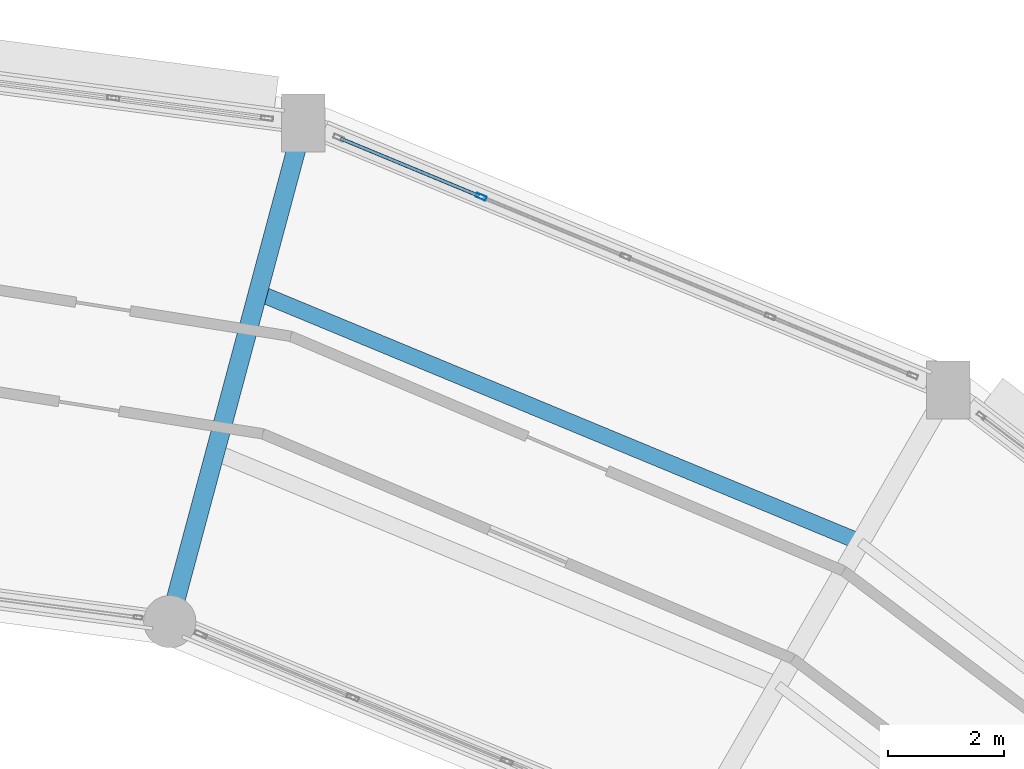
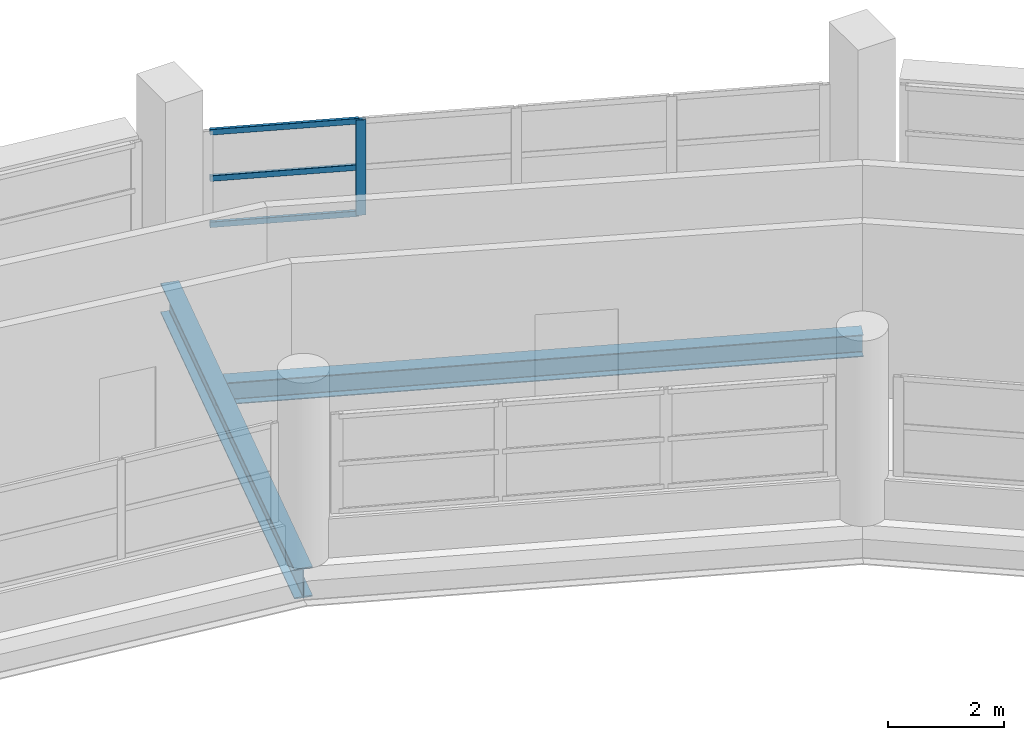
# One storey, part 55 of 88: 4 members, 2 beams, 1 element without a shape of its own.
"""IFC4 building model written with IfcOpenShell, lengths in metres."""

from ifc_helpers import new_model, si_unit, direction, frame, origin, origin_2d, place, context, subcontext, project, spatial, hollow_rectangle, i_section, extrude, material, layer, layer_set, material_profile, profile_set, type_object, element, aggregate, save


model = new_model("IFC4")

# Units and contexts
model_context = context("Model", 3, precision=1e-05, world=origin(), true_north=direction((0.0, 1.0)))
body_context = subcontext(model_context, "Body", "Model", "MODEL_VIEW")
ifc_project = project(units=[si_unit("LENGTHUNIT", "METRE"), si_unit("AREAUNIT", "SQUARE_METRE"), si_unit("VOLUMEUNIT", "CUBIC_METRE"), si_unit("PLANEANGLEUNIT", "RADIAN"), si_unit("MASSUNIT", "GRAM", prefix="KILO")], contexts=[model_context])

# Site, building, storey
site_placement = place(None, origin())
site = spatial("IfcSite", under=ifc_project, at=site_placement, CompositionType="ELEMENT")
building_placement = place(site_placement, origin())
building = spatial("IfcBuilding", under=site, at=building_placement, Name="Vespera Passage Community Centre", CompositionType="ELEMENT")
storey_placement = place(building_placement, frame((0.0, 0.0, 16.5)))
storey = spatial("IfcBuildingStorey", under=building, at=storey_placement, Name="L04", CompositionType="ELEMENT", Elevation=16.5)

# Beams
ifc_material_1 = material(Name="Steel ASTM A992 Grade 50", Category="steel")
ifc_material_profile_1 = material_profile(ifc_material_1, i_section(OverallWidth=0.32763671875, OverallDepth=0.62841796875, WebThickness=0.0166015625, FlangeThickness=0.027587890625, FilletRadius=0.0126953125, at=origin_2d()), Name="W24X146")
ifc_profile_set_1 = profile_set([ifc_material_profile_1], Name="Steel ASTM A992 Grade 50")
beam_type_1 = type_object("IfcBeamType", Name="BM-G-W24X146", PredefinedType="BEAM", material=ifc_profile_set_1)
beam_1_placement = place(storey_placement, frame((87.628173828125, 101.432373046875, -0.6142578125), z_axis=(0.258811497245, 0.9659278487, 0.0), x_axis=(-0.9659278487, 0.258811497245, 0.0)))
element("IfcBeam", 1, at=beam_1_placement, inside=storey, type_object=beam_type_1, Name="V4 L04 Radial Girder 5", PredefinedType="BEAM", context=body_context, shape_type="SweptSolid", body=[
    extrude(i_section(OverallWidth=0.32763671875, OverallDepth=0.62841796875, WebThickness=0.0166015625, FlangeThickness=0.027587890625, FilletRadius=0.0126953125, at=origin_2d()), origin(), (0.0, 0.0, 1.0), 8.900146484375),
])
ifc_material_2 = material(Name="Steel ASTM A992 Grade 50", Category="steel")
ifc_material_profile_2 = material_profile(ifc_material_2, i_section(OverallWidth=0.280517578125, OverallDepth=0.46240234375, WebThickness=0.0107421875, FlangeThickness=0.017333984375, FilletRadius=0.01025390625, at=origin_2d()), Name="W18X76")
ifc_profile_set_2 = profile_set([ifc_material_profile_2], Name="Steel ASTM A992 Grade 50")
beam_type_2 = type_object("IfcBeamType", Name="BM-J-W18X76", PredefinedType="JOIST", material=ifc_profile_set_2)
beam_2_placement = place(storey_placement, frame((99.537109375, 102.80322265625, -0.53125), z_axis=(-0.923884257257, 0.38267202562, 0.0), x_axis=(-0.38267202562, -0.923884257257, 0.0)))
element("IfcBeam", 2, at=beam_2_placement, inside=storey, type_object=beam_type_2, Name="V4 L04 Floor Joist 4.2", PredefinedType="JOIST", context=body_context, shape_type="SweptSolid", body=[
    extrude(i_section(OverallWidth=0.280517578125, OverallDepth=0.46240234375, WebThickness=0.0107421875, FlangeThickness=0.017333984375, FilletRadius=0.01025390625, at=origin_2d()), origin(), (0.0, 0.0, 1.0), 11.24462890625),
])

# Curtain wall, members
ifc_material_3 = material(Name="Anodized aluminium 6063-T6", Category="aluminium")
ifc_layer = layer(ifc_material_3, 0.159912109375)
ifc_layer_set = layer_set([ifc_layer], Name="Anodized aluminium 6063-T6")
curtain_wall_type = type_object("IfcCurtainWallType", Name="CW-55E", PredefinedType="NOTDEFINED", material=ifc_layer_set)
curtain_wall_placement = place(storey_placement, origin())
curtain_wall = element("IfcCurtainWall", 3, at=curtain_wall_placement, inside=storey, type_object=curtain_wall_type, Name="V4 L04 Outer Ribbon Curtain Wall 4", PredefinedType="NOTDEFINED")
ifc_material_4 = material(Name="Anodized aluminium 6063-T6", Category="aluminium")
ifc_material_profile_3 = material_profile(ifc_material_4, hollow_rectangle(XDim=0.074951171875, YDim=0.179931640625, WallThickness=0.0048828125, InnerFilletRadius=0.00244140625, OuterFilletRadius=0.0048828125, at=origin_2d()), Name="ALU180X75X5")
ifc_profile_set_3 = profile_set([ifc_material_profile_3], Name="Anodized aluminium 6063-T6")
member_type_1 = type_object("IfcMemberType", Name="MB-CWM-180E", PredefinedType="MULLION", material=ifc_profile_set_3)
member_1_placement = place(storey_placement, frame((92.998046875, 108.759033203125, 0.820068359375), z_axis=(0.0, 0.0, 1.0), x_axis=(0.382682936255, 0.923879738007, 0.0)))
member_1 = element("IfcMember", 4, at=member_1_placement, type_object=member_type_1, Name="CW-55E mullion 2", PredefinedType="MULLION", context=body_context, shape_type="SweptSolid", body=[
    extrude(hollow_rectangle(XDim=0.074951171875, YDim=0.179931640625, WallThickness=0.0048828125, InnerFilletRadius=0.00244140625, OuterFilletRadius=0.0048828125, at=origin_2d()), origin(), (0.0, 0.0, 1.0), 2.005615234375),
])
ifc_material_5 = material(Name="Anodized aluminium 6063-T6", Category="aluminium")
ifc_material_profile_4 = material_profile(ifc_material_5, hollow_rectangle(XDim=0.06005859375, YDim=0.1201171875, WallThickness=0.00390625, InnerFilletRadius=0.001953125, OuterFilletRadius=0.00390625, at=origin_2d()), Name="ALU120X60X4")
ifc_profile_set_4 = profile_set([ifc_material_profile_4], Name="Anodized aluminium 6063-T6")
member_type_2 = type_object("IfcMemberType", Name="MB-CWT-120E", PredefinedType="USERDEFINED", material=ifc_profile_set_4)
member_2_placement = place(storey_placement, frame((90.574462890625, 109.762939453125, 0.85009765625), z_axis=(0.923882193286, -0.382677008624, 0.0), x_axis=(0.382677008624, 0.923882193286, 0.0)))
member_2 = element("IfcMember", 5, at=member_2_placement, type_object=member_type_2, Name="CW-55E transom 1.1", ObjectType="TRANSOM", PredefinedType="USERDEFINED", context=body_context, shape_type="SweptSolid", body=[
    extrude(hollow_rectangle(XDim=0.06005859375, YDim=0.1201171875, WallThickness=0.00390625, InnerFilletRadius=0.001953125, OuterFilletRadius=0.00390625, at=origin_2d()), origin(), (0.0, 0.0, 1.0), 2.585693359375),
])
member_3_placement = place(storey_placement, frame((90.574462890625, 109.762939453125, 1.82275390625), z_axis=(0.923882193286, -0.382677008624, 0.0), x_axis=(0.382677008624, 0.923882193286, 0.0)))
member_3 = element("IfcMember", 6, at=member_3_placement, type_object=member_type_2, Name="CW-55E transom 1.2", ObjectType="TRANSOM", PredefinedType="USERDEFINED", context=body_context, shape_type="SweptSolid", body=[
    extrude(hollow_rectangle(XDim=0.06005859375, YDim=0.1201171875, WallThickness=0.00390625, InnerFilletRadius=0.001953125, OuterFilletRadius=0.00390625, at=origin_2d()), origin(), (0.0, 0.0, 1.0), 2.585693359375),
])
member_4_placement = place(storey_placement, frame((90.574462890625, 109.762939453125, 2.795654296875), z_axis=(0.923882193286, -0.382677008624, 0.0), x_axis=(0.382677008624, 0.923882193286, 0.0)))
member_4 = element("IfcMember", 7, at=member_4_placement, type_object=member_type_2, Name="CW-55E transom 1.3", ObjectType="TRANSOM", PredefinedType="USERDEFINED", context=body_context, shape_type="SweptSolid", body=[
    extrude(hollow_rectangle(XDim=0.06005859375, YDim=0.1201171875, WallThickness=0.00390625, InnerFilletRadius=0.001953125, OuterFilletRadius=0.00390625, at=origin_2d()), origin(), (0.0, 0.0, 1.0), 2.585693359375),
])
aggregate(curtain_wall, [member_1, member_2, member_3, member_4])

save(model, "model.ifc")
